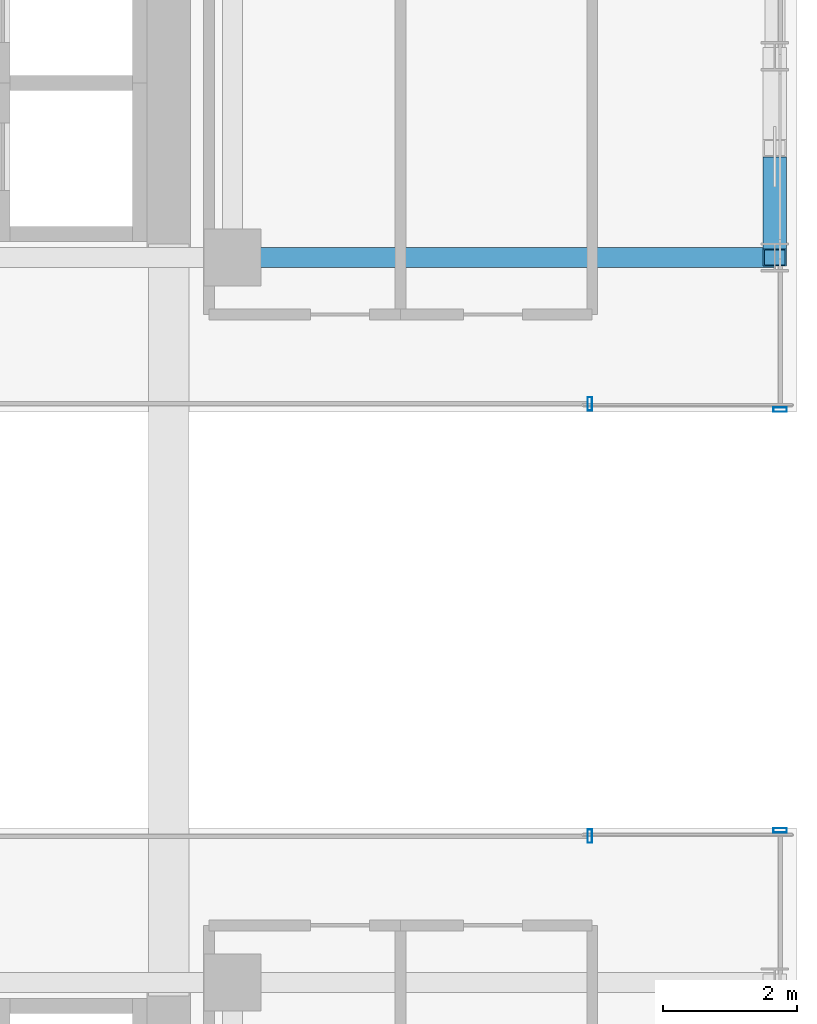
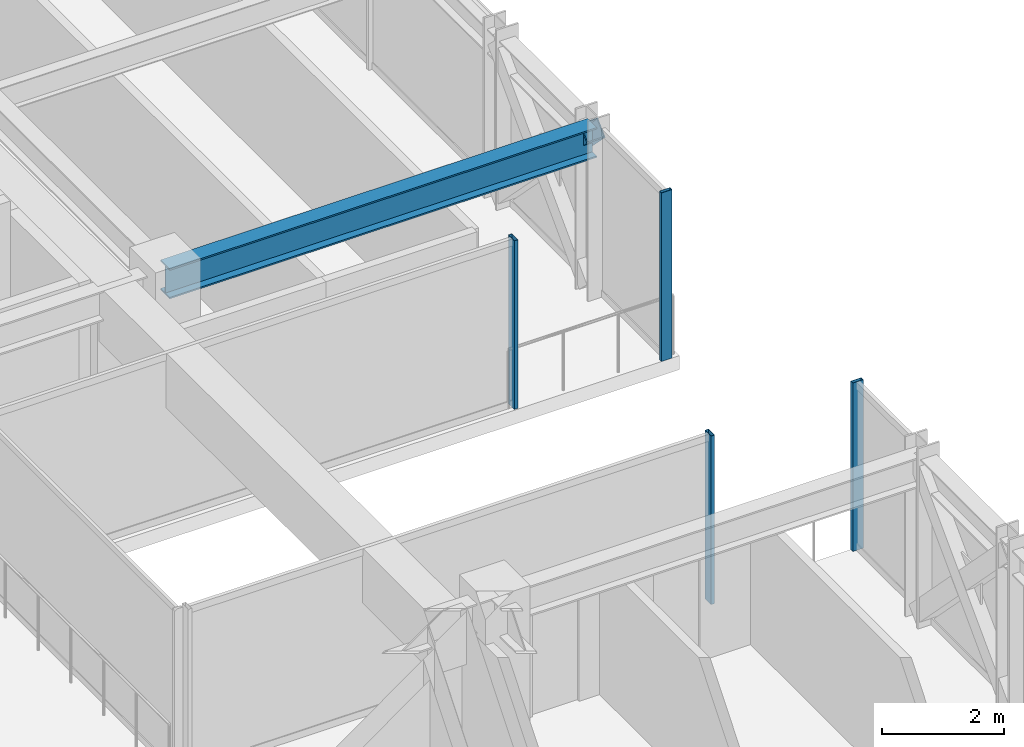
# One storey, part 23 of 42: 5 members, 1 beam, 4 elements without a shape of their own.
"""IFC4 building model written with IfcOpenShell, lengths in metres."""

from ifc_helpers import new_model, si_unit, direction, frame, origin, origin_2d, place, context, subcontext, project, spatial, hollow_rectangle, i_section, extrude, source, transform, mapped, material, material_profile, profile_set, type_object, element, aggregate, save


model = new_model("IFC4")

# Units and contexts
model_context = context("Model", 3, precision=1e-05, world=origin(), true_north=direction((0.0, 1.0)))
body_context = subcontext(model_context, "Body", "Model", "MODEL_VIEW")
ifc_project = project(units=[si_unit("LENGTHUNIT", "METRE"), si_unit("AREAUNIT", "SQUARE_METRE"), si_unit("VOLUMEUNIT", "CUBIC_METRE"), si_unit("PLANEANGLEUNIT", "RADIAN"), si_unit("MASSUNIT", "GRAM", prefix="KILO")], contexts=[model_context])

# Site, building, storey
site_placement = place(None, origin())
site = spatial("IfcSite", under=ifc_project, at=site_placement, CompositionType="ELEMENT")
building_placement = place(site_placement, origin())
building = spatial("IfcBuilding", under=site, at=building_placement, Name="Nahalor Promenade Grand Hotel", CompositionType="ELEMENT")
storey_placement = place(building_placement, frame((0.0, 0.0, 61.60009765625)))
storey = spatial("IfcBuildingStorey", under=building, at=storey_placement, Name="L14", CompositionType="ELEMENT", Elevation=61.60009765625)

# Beam
ifc_material_1 = material(Name="Steel S355JR", Category="steel")
ifc_material_profile_1 = material_profile(ifc_material_1, i_section(OverallWidth=0.3, OverallDepth=0.6, WebThickness=0.0155, FlangeThickness=0.03, at=origin_2d()), Name="HEB 600")
ifc_profile_set_1 = profile_set([ifc_material_profile_1], Name="Steel S355JR")
beam_type = type_object("IfcBeamType", Name="Beam-Girder-HEB600", PredefinedType="BEAM", material=ifc_profile_set_1)
shared_shape_1 = source(origin(), body_context, "Body", "SweptSolid", [
    extrude(i_section(OverallWidth=0.3, OverallDepth=0.6, WebThickness=0.0155, FlangeThickness=0.03, at=origin_2d()), origin(), (0.0, 0.0, 1.0), 8.080078125),
])
beam_placement = place(storey_placement, frame((17.0, 5.39990234375, 3.06982421875), z_axis=(1.0, 0.0, 0.0), x_axis=(0.0, 1.0, 0.0)))
element("IfcBeam", 1, at=beam_placement, inside=storey, type_object=beam_type, Name="BM-L14-GX-2-6", PredefinedType="BEAM", context=body_context, shape_type="MappedRepresentation", body=[
    mapped(shared_shape_1, transform((0.0, 0.0, 0.0), scale=1.0)),
])

# Member
ifc_material_profile_2 = material_profile(ifc_material_1, hollow_rectangle(XDim=0.35, YDim=0.35, WallThickness=0.02, at=origin_2d()), Name="SHS 350x350x20")
ifc_profile_set_2 = profile_set([ifc_material_profile_2], Name="Steel S355JR")
member_type_1 = type_object("IfcMemberType", Name="Mem-VoidBrace-SHS350", PredefinedType="BRACE", material=ifc_profile_set_2)
shared_shape_2 = source(origin(), body_context, "Body", "SweptSolid", [
    extrude(hollow_rectangle(XDim=0.35, YDim=0.35, WallThickness=0.02, at=origin_2d()), origin(), (0.0, 0.0, 1.0), 1.959228515625),
])
member_1_placement = place(storey_placement, frame((25.080078125, 6.769287109375, 1.818603515625), z_axis=(0.0, -0.698898183234, 0.715221175212), x_axis=(1.0, 0.0, 0.0)))
element("IfcMember", 2, at=member_1_placement, inside=storey, type_object=member_type_1, Name="EXO-L14-VX2-E1B", PredefinedType="BRACE", context=body_context, shape_type="MappedRepresentation", body=[
    mapped(shared_shape_2, transform((0.0, 0.0, 0.0), scale=1.0)),
])

# Curtain wall, member
ifc_material_2 = material(Name="Anodised Bronze Aluminium EN AW-6063 T6", Category="aluminium")
curtain_wall_type = type_object("IfcCurtainWallType", Name="CW3 Elliptical-Void Collar Unitised Curtain Wall", PredefinedType="USERDEFINED", material=ifc_material_2)
curtain_wall_1_placement = place(storey_placement, origin())
curtain_wall_1 = element("IfcCurtainWall", 3, at=curtain_wall_1_placement, inside=storey, type_object=curtain_wall_type, Name="L14 Curtain Wall CW-L14-E-1", ObjectType="UNITISED_CURTAIN_WALL", PredefinedType="USERDEFINED")
ifc_material_profile_3 = material_profile(ifc_material_2, hollow_rectangle(XDim=0.07, YDim=0.2, WallThickness=0.005, at=origin_2d()), Name="CWM 70x200x5")
ifc_profile_set_3 = profile_set([ifc_material_profile_3], Name="Anodised Bronze Aluminium EN AW-6063 T6")
member_type_2 = type_object("IfcMemberType", Name="CWM3 Void Collar Mullion 70x200", PredefinedType="MULLION", material=ifc_profile_set_3)
shared_shape_3 = source(origin(), body_context, "Body", "SweptSolid", [
    extrude(hollow_rectangle(XDim=0.07, YDim=0.2, WallThickness=0.005, at=origin_2d()), origin(), (0.0, 0.0, 1.0), 3.369873046875),
])
member_2_placement = place(storey_placement, frame((25.159912109375, -3.135009765625, 0.0), z_axis=(0.0, 0.0, 1.0), x_axis=(0.0, 1.0, 0.0)))
member_2 = element("IfcMember", 4, at=member_2_placement, type_object=member_type_2, Name="CW-L14-E-1 Mullion 2", PredefinedType="MULLION", context=body_context, shape_type="MappedRepresentation", body=[
    mapped(shared_shape_3, transform((0.0, 0.0, 0.0), scale=1.0)),
])
aggregate(curtain_wall_1, [member_2])

curtain_wall_2_placement = place(storey_placement, origin())
curtain_wall_2 = element("IfcCurtainWall", 5, at=curtain_wall_2_placement, inside=storey, type_object=curtain_wall_type, Name="L14 Curtain Wall CW-L14-E-2", ObjectType="UNITISED_CURTAIN_WALL", PredefinedType="USERDEFINED")
member_3_placement = place(storey_placement, frame((25.159912109375, 3.135009765625, 0.0), z_axis=(0.0, 0.0, 1.0), x_axis=(0.0, 1.0, 0.0)))
member_3 = element("IfcMember", 6, at=member_3_placement, type_object=member_type_2, Name="CW-L14-E-2 Mullion 0", PredefinedType="MULLION", context=body_context, shape_type="MappedRepresentation", body=[
    mapped(shared_shape_3, transform((0.0, 0.0, 0.0), scale=1.0)),
])
aggregate(curtain_wall_2, [member_3])

curtain_wall_3_placement = place(storey_placement, origin())
curtain_wall_3 = element("IfcCurtainWall", 7, at=curtain_wall_3_placement, inside=storey, type_object=curtain_wall_type, Name="L14 Curtain Wall CW-L14-VOID-ES1", ObjectType="UNITISED_CURTAIN_WALL", PredefinedType="USERDEFINED")
member_4_placement = place(storey_placement, frame((22.324951171875, -3.219970703125, 0.0), z_axis=(0.0, 0.0, 1.0), x_axis=(1.0, 0.0, 0.0)))
member_4 = element("IfcMember", 8, at=member_4_placement, type_object=member_type_2, Name="CW-L14-VOID-ES1 Mullion 1", PredefinedType="MULLION", context=body_context, shape_type="MappedRepresentation", body=[
    mapped(shared_shape_3, transform((0.0, 0.0, 0.0), scale=1.0)),
])
aggregate(curtain_wall_3, [member_4])

curtain_wall_4_placement = place(storey_placement, origin())
curtain_wall_4 = element("IfcCurtainWall", 9, at=curtain_wall_4_placement, inside=storey, type_object=curtain_wall_type, Name="L14 Curtain Wall CW-L14-VOID-EN1", ObjectType="UNITISED_CURTAIN_WALL", PredefinedType="USERDEFINED")
member_5_placement = place(storey_placement, frame((22.324951171875, 3.219970703125, 0.0), z_axis=(0.0, 0.0, 1.0), x_axis=(1.0, 0.0, 0.0)))
member_5 = element("IfcMember", 10, at=member_5_placement, type_object=member_type_2, Name="CW-L14-VOID-EN1 Mullion 1", PredefinedType="MULLION", context=body_context, shape_type="MappedRepresentation", body=[
    mapped(shared_shape_3, transform((0.0, 0.0, 0.0), scale=1.0)),
])
aggregate(curtain_wall_4, [member_5])

save(model, "model.ifc")
